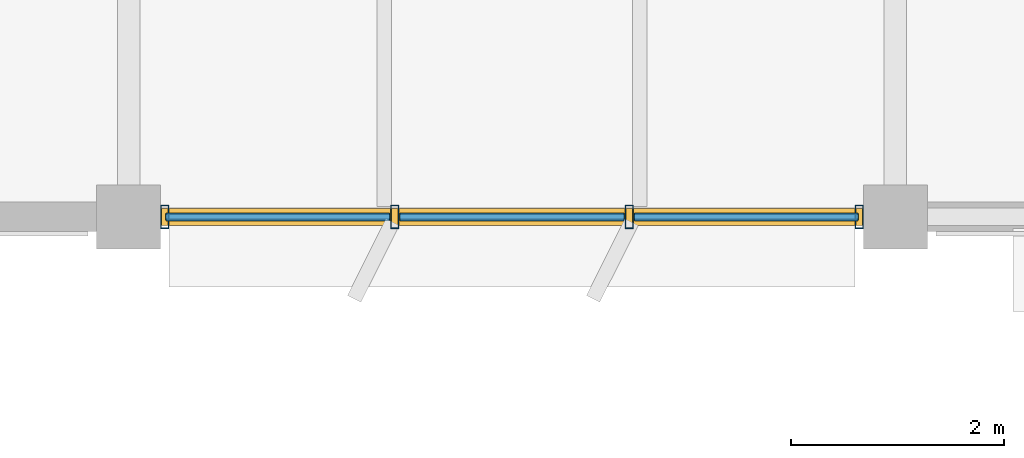
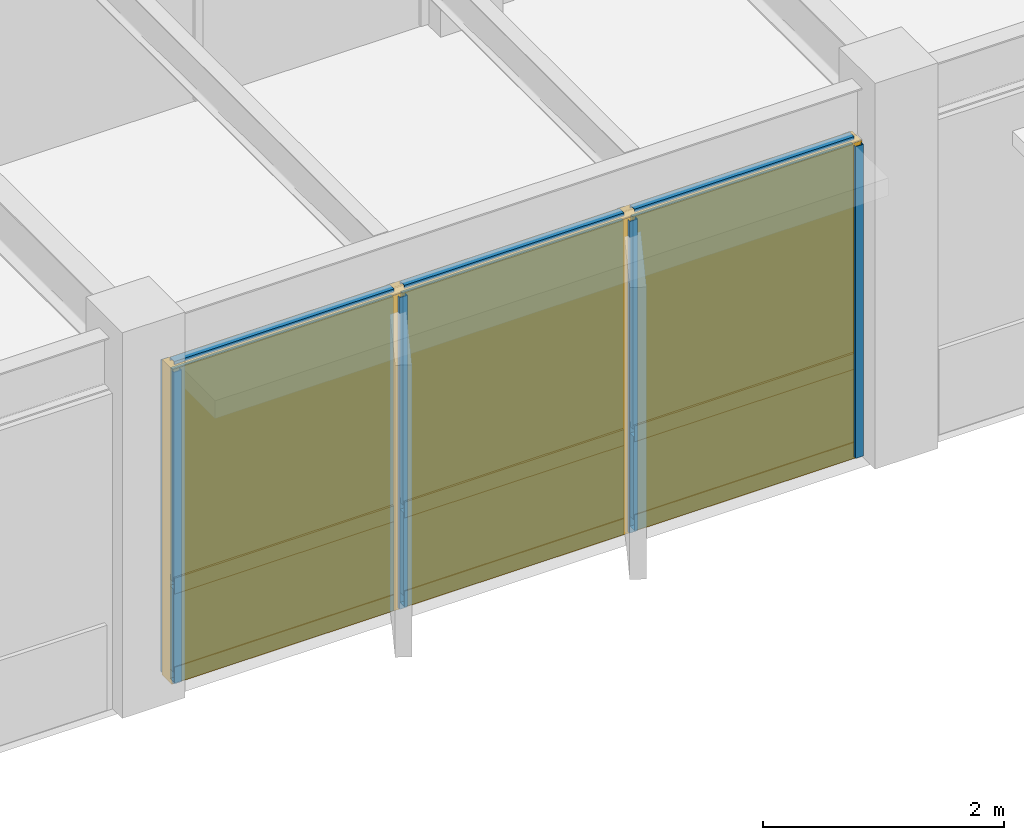
# One storey, part 26 of 35: 13 members, 6 plates, 1 curtain wall.
"""IFC4 building model written with IfcOpenShell, lengths in metres."""

from ifc_helpers import new_model, si_unit, direction, frame, origin, origin_2d, place, context, subcontext, project, spatial, rectangle, hollow_rectangle, extrude, material, layer, layer_set, material_profile, profile_set, type_object, element, aggregate, save


model = new_model("IFC4")

# Units and contexts
model_context = context("Model", 3, precision=1e-05, world=origin(), true_north=direction((0.0, 1.0)))
body_context = subcontext(model_context, "Body", "Model", "MODEL_VIEW")
ifc_project = project(units=[si_unit("LENGTHUNIT", "METRE"), si_unit("AREAUNIT", "SQUARE_METRE"), si_unit("VOLUMEUNIT", "CUBIC_METRE"), si_unit("PLANEANGLEUNIT", "RADIAN"), si_unit("MASSUNIT", "GRAM", prefix="KILO")], contexts=[model_context])

# Member
ifc_material_1 = material(Name="Anodized Aluminium 6063-T6", Category="aluminium")
ifc_material_profile_1 = material_profile(ifc_material_1, hollow_rectangle(XDim=0.074951171875, YDim=0.219970703125, WallThickness=0.0048828125, at=origin_2d()), Name="ALU 75x220x5")
ifc_profile_set_1 = profile_set([ifc_material_profile_1], Name="Anodized Aluminium 6063-T6")
member_type_1 = type_object("IfcMemberType", Name="CWM-75X180", PredefinedType="MULLION", material=ifc_profile_set_1)
site_placement = place(None, origin())
building_placement = place(site_placement, origin())
storey_placement = place(building_placement, frame((0.0, 0.0, 18.0)))
member_1_placement = place(storey_placement, frame((86.06005859375, 108.0, 0.02001953125), z_axis=(0.0, 0.0, 1.0), x_axis=(1.0, 0.0, 0.0)))
member_1 = element("IfcMember", 1, at=member_1_placement, type_object=member_type_1, Name="Curtain wall mullion CW-L05-11-15-S-00", PredefinedType="MULLION", context=body_context, shape_type="SweptSolid", body=[
    extrude(hollow_rectangle(XDim=0.074951171875, YDim=0.219970703125, WallThickness=0.0048828125, at=origin_2d()), origin(), (0.0, 0.0, 1.0), 3.152099609375),
])

member_2_placement = place(storey_placement, frame((83.89990234375, 108.0, 0.02001953125), z_axis=(0.0, 0.0, 1.0), x_axis=(1.0, 0.0, 0.0)))
member_2 = element("IfcMember", 2, at=member_2_placement, type_object=member_type_1, Name="Curtain wall mullion CW-L05-11-15-S-01", PredefinedType="MULLION", context=body_context, shape_type="SweptSolid", body=[
    extrude(hollow_rectangle(XDim=0.074951171875, YDim=0.219970703125, WallThickness=0.0048828125, at=origin_2d()), origin(), (0.0, 0.0, 1.0), 3.152099609375),
])

member_3_placement = place(storey_placement, frame((81.699951171875, 108.0, 0.02001953125), z_axis=(0.0, 0.0, 1.0), x_axis=(1.0, 0.0, 0.0)))
member_3 = element("IfcMember", 3, at=member_3_placement, type_object=member_type_1, Name="Curtain wall mullion CW-L05-11-15-S-02", PredefinedType="MULLION", context=body_context, shape_type="SweptSolid", body=[
    extrude(hollow_rectangle(XDim=0.074951171875, YDim=0.219970703125, WallThickness=0.0048828125, at=origin_2d()), origin(), (0.0, 0.0, 1.0), 3.152099609375),
])

member_4_placement = place(storey_placement, frame((79.5400390625, 108.0, 0.02001953125), z_axis=(0.0, 0.0, 1.0), x_axis=(1.0, 0.0, 0.0)))
member_4 = element("IfcMember", 4, at=member_4_placement, type_object=member_type_1, Name="Curtain wall mullion CW-L05-11-15-S-03", PredefinedType="MULLION", context=body_context, shape_type="SweptSolid", body=[
    extrude(hollow_rectangle(XDim=0.074951171875, YDim=0.219970703125, WallThickness=0.0048828125, at=origin_2d()), origin(), (0.0, 0.0, 1.0), 3.152099609375),
])

ifc_material_profile_2 = material_profile(ifc_material_1, hollow_rectangle(XDim=0.074951171875, YDim=0.159912109375, WallThickness=0.00390625, at=origin_2d()), Name="ALU 75x160x4")
ifc_profile_set_2 = profile_set([ifc_material_profile_2], Name="Anodized Aluminium 6063-T6")
member_type_2 = type_object("IfcMemberType", Name="CWT-75X150", PredefinedType="USERDEFINED", material=ifc_profile_set_2)
member_5_placement = place(storey_placement, frame((86.050048828125, 108.0, 0.050048828125), z_axis=(-1.0, 0.0, 0.0), x_axis=(0.0, -1.0, 0.0)))
member_5 = element("IfcMember", 5, at=member_5_placement, type_object=member_type_2, Name="Curtain wall transom CW-L05-11-15-S-1.01", ObjectType="TRANSOM", PredefinedType="USERDEFINED", context=body_context, shape_type="SweptSolid", body=[
    extrude(hollow_rectangle(XDim=0.074951171875, YDim=0.159912109375, WallThickness=0.00390625, at=origin_2d()), origin(), (0.0, 0.0, 1.0), 2.10009765625),
])

member_6_placement = place(storey_placement, frame((83.85009765625, 108.0, 0.050048828125), z_axis=(-1.0, 0.0, 0.0), x_axis=(0.0, -1.0, 0.0)))
member_6 = element("IfcMember", 6, at=member_6_placement, type_object=member_type_2, Name="Curtain wall transom CW-L05-11-15-S-1.02", ObjectType="TRANSOM", PredefinedType="USERDEFINED", context=body_context, shape_type="SweptSolid", body=[
    extrude(hollow_rectangle(XDim=0.074951171875, YDim=0.159912109375, WallThickness=0.00390625, at=origin_2d()), origin(), (0.0, 0.0, 1.0), 2.10009765625),
])

member_7_placement = place(storey_placement, frame((81.64990234375, 108.0, 0.050048828125), z_axis=(-1.0, 0.0, 0.0), x_axis=(0.0, -1.0, 0.0)))
member_7 = element("IfcMember", 7, at=member_7_placement, type_object=member_type_2, Name="Curtain wall transom CW-L05-11-15-S-1.03", ObjectType="TRANSOM", PredefinedType="USERDEFINED", context=body_context, shape_type="SweptSolid", body=[
    extrude(hollow_rectangle(XDim=0.074951171875, YDim=0.159912109375, WallThickness=0.00390625, at=origin_2d()), origin(), (0.0, 0.0, 1.0), 2.099853515625),
])

member_8_placement = place(storey_placement, frame((86.050048828125, 108.0, 0.949951171875), z_axis=(-1.0, 0.0, 0.0), x_axis=(0.0, -1.0, 0.0)))
member_8 = element("IfcMember", 8, at=member_8_placement, type_object=member_type_2, Name="Curtain wall transom CW-L05-11-15-S-2.01", ObjectType="TRANSOM", PredefinedType="USERDEFINED", context=body_context, shape_type="SweptSolid", body=[
    extrude(hollow_rectangle(XDim=0.074951171875, YDim=0.159912109375, WallThickness=0.00390625, at=origin_2d()), origin(), (0.0, 0.0, 1.0), 2.10009765625),
])

member_9_placement = place(storey_placement, frame((83.85009765625, 108.0, 0.949951171875), z_axis=(-1.0, 0.0, 0.0), x_axis=(0.0, -1.0, 0.0)))
member_9 = element("IfcMember", 9, at=member_9_placement, type_object=member_type_2, Name="Curtain wall transom CW-L05-11-15-S-2.02", ObjectType="TRANSOM", PredefinedType="USERDEFINED", context=body_context, shape_type="SweptSolid", body=[
    extrude(hollow_rectangle(XDim=0.074951171875, YDim=0.159912109375, WallThickness=0.00390625, at=origin_2d()), origin(), (0.0, 0.0, 1.0), 2.10009765625),
])

member_10_placement = place(storey_placement, frame((81.64990234375, 108.0, 0.949951171875), z_axis=(-1.0, 0.0, 0.0), x_axis=(0.0, -1.0, 0.0)))
member_10 = element("IfcMember", 10, at=member_10_placement, type_object=member_type_2, Name="Curtain wall transom CW-L05-11-15-S-2.03", ObjectType="TRANSOM", PredefinedType="USERDEFINED", context=body_context, shape_type="SweptSolid", body=[
    extrude(hollow_rectangle(XDim=0.074951171875, YDim=0.159912109375, WallThickness=0.00390625, at=origin_2d()), origin(), (0.0, 0.0, 1.0), 2.099853515625),
])

member_11_placement = place(storey_placement, frame((86.050048828125, 108.0, 3.14208984375), z_axis=(-1.0, 0.0, 0.0), x_axis=(0.0, -1.0, 0.0)))
member_11 = element("IfcMember", 11, at=member_11_placement, type_object=member_type_2, Name="Curtain wall transom CW-L05-11-15-S-3.01", ObjectType="TRANSOM", PredefinedType="USERDEFINED", context=body_context, shape_type="SweptSolid", body=[
    extrude(hollow_rectangle(XDim=0.074951171875, YDim=0.159912109375, WallThickness=0.00390625, at=origin_2d()), origin(), (0.0, 0.0, 1.0), 2.10009765625),
])

member_12_placement = place(storey_placement, frame((83.85009765625, 108.0, 3.14208984375), z_axis=(-1.0, 0.0, 0.0), x_axis=(0.0, -1.0, 0.0)))
member_12 = element("IfcMember", 12, at=member_12_placement, type_object=member_type_2, Name="Curtain wall transom CW-L05-11-15-S-3.02", ObjectType="TRANSOM", PredefinedType="USERDEFINED", context=body_context, shape_type="SweptSolid", body=[
    extrude(hollow_rectangle(XDim=0.074951171875, YDim=0.159912109375, WallThickness=0.00390625, at=origin_2d()), origin(), (0.0, 0.0, 1.0), 2.10009765625),
])

member_13_placement = place(storey_placement, frame((81.64990234375, 108.0, 3.14208984375), z_axis=(-1.0, 0.0, 0.0), x_axis=(0.0, -1.0, 0.0)))
member_13 = element("IfcMember", 13, at=member_13_placement, type_object=member_type_2, Name="Curtain wall transom CW-L05-11-15-S-3.03", ObjectType="TRANSOM", PredefinedType="USERDEFINED", context=body_context, shape_type="SweptSolid", body=[
    extrude(hollow_rectangle(XDim=0.074951171875, YDim=0.159912109375, WallThickness=0.00390625, at=origin_2d()), origin(), (0.0, 0.0, 1.0), 2.099853515625),
])

# Plate
ifc_material_2 = material(Name="Acoustic Laminated Low-E Glazing", Category="glass")
ifc_layer_1 = layer(ifc_material_2, 0.0439453125)
ifc_layer_set_1 = layer_set([ifc_layer_1], Name="Acoustic Laminated Low-E Glazing")
plate_type_1 = type_object("IfcPlateType", Name="CWP-IGU-44", PredefinedType="CURTAIN_PANEL", material=ifc_layer_set_1)
plate_1_placement = place(storey_placement, frame((85.0, 108.0, 0.989990234375), z_axis=(0.0, 0.0, 1.0), x_axis=(-1.0, 0.0, 0.0)))
plate_1 = element("IfcPlate", 14, at=plate_1_placement, type_object=plate_type_1, Name="Curtain wall vision glazing CW-L05-11-15-S-01", PredefinedType="CURTAIN_PANEL", context=body_context, shape_type="SweptSolid", body=[
    extrude(rectangle(XDim=2.110107421875, YDim=0.0400390625, at=origin_2d()), origin(), (0.0, 0.0, 1.0), 2.14208984375),
])

plate_2_placement = place(storey_placement, frame((82.800048828125, 108.0, 0.989990234375), z_axis=(0.0, 0.0, 1.0), x_axis=(-1.0, 0.0, 0.0)))
plate_2 = element("IfcPlate", 15, at=plate_2_placement, type_object=plate_type_1, Name="Curtain wall vision glazing CW-L05-11-15-S-02", PredefinedType="CURTAIN_PANEL", context=body_context, shape_type="SweptSolid", body=[
    extrude(rectangle(XDim=2.110107421875, YDim=0.0400390625, at=origin_2d()), origin(), (0.0, 0.0, 1.0), 2.14208984375),
])

plate_3_placement = place(storey_placement, frame((80.60009765625, 108.0, 0.989990234375), z_axis=(0.0, 0.0, 1.0), x_axis=(-1.0, 0.0, 0.0)))
plate_3 = element("IfcPlate", 16, at=plate_3_placement, type_object=plate_type_1, Name="Curtain wall vision glazing CW-L05-11-15-S-03", PredefinedType="CURTAIN_PANEL", context=body_context, shape_type="SweptSolid", body=[
    extrude(rectangle(XDim=2.110107421875, YDim=0.0400390625, at=origin_2d()), origin(), (0.0, 0.0, 1.0), 2.14208984375),
])

ifc_material_3 = material(Name="Insulated Stone-Composite Spandrel", Category="masonry")
ifc_layer_2 = layer(ifc_material_3, 0.068115234375)
ifc_layer_set_2 = layer_set([ifc_layer_2], Name="Insulated Stone-Composite Spandrel")
plate_type_2 = type_object("IfcPlateType", Name="CWP-SPN-68", PredefinedType="CURTAIN_PANEL", material=ifc_layer_set_2)
plate_4_placement = place(storey_placement, frame((85.0, 108.0, 0.080078125), z_axis=(0.0, 0.0, 1.0), x_axis=(-1.0, 0.0, 0.0)))
plate_4 = element("IfcPlate", 17, at=plate_4_placement, type_object=plate_type_2, Name="Curtain wall spandrel panel CW-L05-11-15-S-01", PredefinedType="CURTAIN_PANEL", context=body_context, shape_type="SweptSolid", body=[
    extrude(rectangle(XDim=2.110107421875, YDim=0.06005859375, at=origin_2d()), origin(), (0.0, 0.0, 1.0), 0.840087890625),
])

plate_5_placement = place(storey_placement, frame((82.800048828125, 108.0, 0.080078125), z_axis=(0.0, 0.0, 1.0), x_axis=(-1.0, 0.0, 0.0)))
plate_5 = element("IfcPlate", 18, at=plate_5_placement, type_object=plate_type_2, Name="Curtain wall spandrel panel CW-L05-11-15-S-02", PredefinedType="CURTAIN_PANEL", context=body_context, shape_type="SweptSolid", body=[
    extrude(rectangle(XDim=2.110107421875, YDim=0.06005859375, at=origin_2d()), origin(), (0.0, 0.0, 1.0), 0.840087890625),
])

plate_6_placement = place(storey_placement, frame((80.60009765625, 108.0, 0.080078125), z_axis=(0.0, 0.0, 1.0), x_axis=(-1.0, 0.0, 0.0)))
plate_6 = element("IfcPlate", 19, at=plate_6_placement, type_object=plate_type_2, Name="Curtain wall spandrel panel CW-L05-11-15-S-03", PredefinedType="CURTAIN_PANEL", context=body_context, shape_type="SweptSolid", body=[
    extrude(rectangle(XDim=2.110107421875, YDim=0.06005859375, at=origin_2d()), origin(), (0.0, 0.0, 1.0), 0.840087890625),
])

# Site, building, storey
site = spatial("IfcSite", under=ifc_project, at=site_placement, CompositionType="ELEMENT")
building = spatial("IfcBuilding", under=site, at=building_placement, Name="Sillqori Civic Hall", CompositionType="ELEMENT")
storey = spatial("IfcBuildingStorey", under=building, at=storey_placement, Name="L05", CompositionType="ELEMENT", Elevation=18.0)

# Curtain wall
ifc_material_4 = material(Name="Anodized Aluminium Curtain Wall System", Category="aluminium")
curtain_wall_type = type_object("IfcCurtainWallType", Name="CW-AD-370", PredefinedType="NOTDEFINED", material=ifc_material_4)
curtain_wall_placement = place(storey_placement, frame((82.800048828125, 108.0, 0.0), z_axis=(0.0, 0.0, 1.0), x_axis=(-1.0, 0.0, 0.0)))
curtain_wall = element("IfcCurtainWall", 20, at=curtain_wall_placement, inside=storey, type_object=curtain_wall_type, Name="L05 unitised curtain wall CW-L05-11-15-S", PredefinedType="NOTDEFINED", context=body_context, shape_type="SweptSolid", body=[
    extrude(rectangle(XDim=6.60009765625, YDim=0.159912109375, at=origin_2d()), origin(), (0.0, 0.0, 1.0), 3.19189453125),
])

aggregate(curtain_wall, [member_1, member_2, member_3, member_4, member_5, member_6, member_7, member_8, member_9, member_10, member_11, member_12, member_13, plate_4, plate_1, plate_5, plate_2, plate_6, plate_3])

save(model, "model.ifc")
